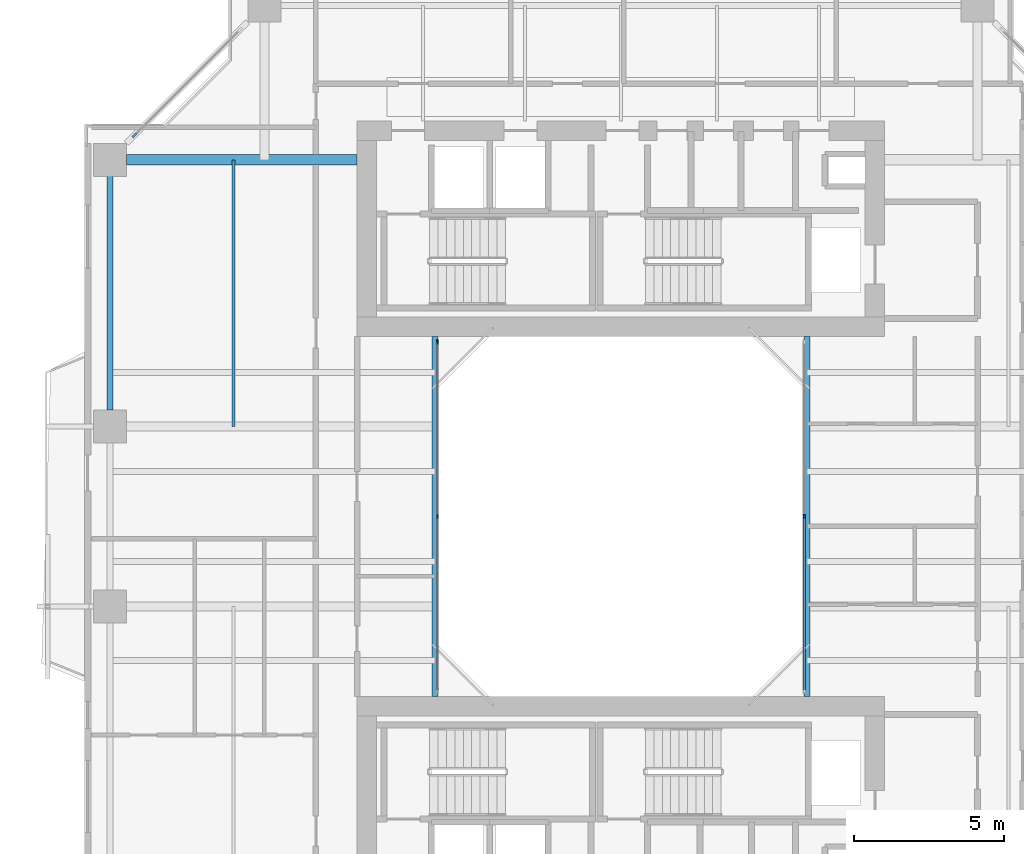
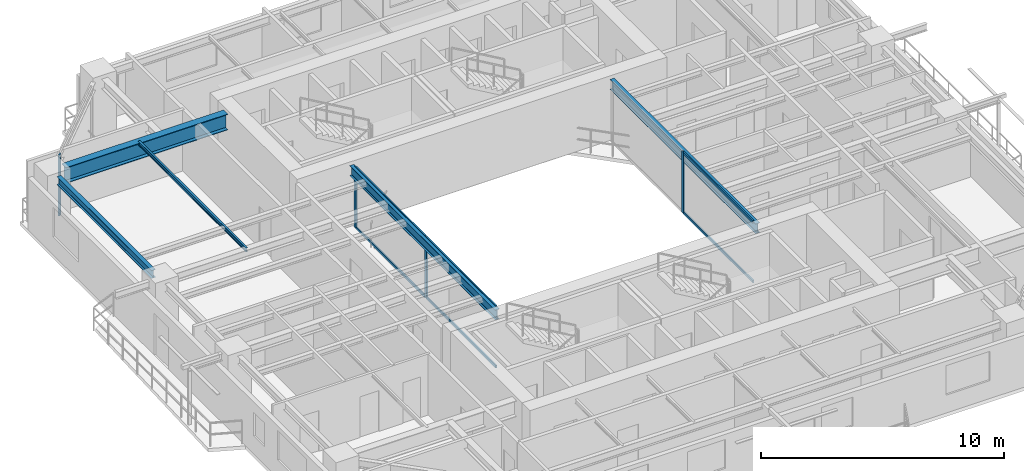
# One storey, part 4 of 23: 10 members, 5 beams, 3 elements without a shape of their own.
"""IFC4 building model written with IfcOpenShell, lengths in metres."""

from ifc_helpers import new_model, si_unit, direction, frame, origin, origin_2d, place, context, subcontext, project, spatial, rectangle, i_section, extrude, source, transform, mapped, material, layer, layer_set, material_profile, profile_set, type_object, element, aggregate, save


model = new_model("IFC4")

# Units and contexts
model_context = context("Model", 3, precision=1e-05, world=origin(), true_north=direction((0.0, 1.0)))
body_context = subcontext(model_context, "Body", "Model", "MODEL_VIEW")
ifc_project = project(units=[si_unit("LENGTHUNIT", "METRE"), si_unit("AREAUNIT", "SQUARE_METRE"), si_unit("VOLUMEUNIT", "CUBIC_METRE"), si_unit("PLANEANGLEUNIT", "RADIAN"), si_unit("MASSUNIT", "GRAM", prefix="KILO"), si_unit("THERMODYNAMICTEMPERATUREUNIT", "KELVIN"), si_unit("POWERUNIT", "WATT")], contexts=[model_context])

# Site, building, storey
site_placement = place(None, origin())
site = spatial("IfcSite", under=ifc_project, at=site_placement, CompositionType="ELEMENT")
building_placement = place(site_placement, origin())
building = spatial("IfcBuilding", under=site, at=building_placement, Name="Qiaomeng Ring Towers", CompositionType="ELEMENT")
storey_placement = place(building_placement, frame((0.0, 0.0, 103.5)))
storey = spatial("IfcBuildingStorey", under=building, at=storey_placement, Name="L29", CompositionType="ELEMENT", Elevation=103.5)

# Beams
ifc_material_1 = material(Name="Steel Q355B", Category="steel")
ifc_material_profile_1 = material_profile(ifc_material_1, i_section(OverallWidth=0.199951171875, OverallDepth=0.5, WebThickness=0.010009765625, FlangeThickness=0.01611328125, FilletRadius=0.02001953125, at=origin_2d()), Name="HN 500x200x10x16")
ifc_profile_set_1 = profile_set([ifc_material_profile_1], Name="Steel Q355B")
beam_type_1 = type_object("IfcBeamType", Name="STR-BM-HN500", PredefinedType="BEAM", material=ifc_profile_set_1)
shared_shape_1 = source(origin(), body_context, "Body", "SweptSolid", [
    extrude(i_section(OverallWidth=0.199951171875, OverallDepth=0.5, WebThickness=0.010009765625, FlangeThickness=0.01611328125, FilletRadius=0.02001953125, at=origin_2d()), origin(), (0.0, 0.0, 1.0), 12.0),
])
for number, where, z_axis, x_axis, name in (
    (1, (12.800048828125, 17.0, 2.820068359375), (0.0, 1.0, 0.0), (-1.0, 0.0, 0.0), "L29 beam STR-BM-L29-WELL-W"),
    (2, (25.199951171875, 17.0, 2.820068359375), (0.0, 1.0, 0.0), (-1.0, 0.0, 0.0), "L29 beam STR-BM-L29-WELL-E"),
):
    element("IfcBeam", number, at=place(storey_placement, frame(where, z_axis=z_axis, x_axis=x_axis)), inside=storey, type_object=beam_type_1, Name=name, PredefinedType="BEAM", context=body_context, shape_type="MappedRepresentation", body=[
        mapped(shared_shape_1, transform((0.0, 0.0, 0.0), x_axis=(1.0, 0.0, 0.0), y_axis=(0.0, 1.0, 0.0), z_axis=(0.0, 0.0, 1.0), scale=1.0)),
    ])
ifc_material_profile_2 = material_profile(ifc_material_1, i_section(OverallWidth=0.199951171875, OverallDepth=0.39990234375, WebThickness=0.008056640625, FlangeThickness=0.012939453125, FilletRadius=0.01611328125, at=origin_2d()), Name="HN 400x200x8x13")
ifc_profile_set_2 = profile_set([ifc_material_profile_2], Name="Steel Q355B")
beam_type_2 = type_object("IfcBeamType", Name="STR-BM-HN400", PredefinedType="SPANDREL", material=ifc_profile_set_2)
shared_shape_2 = source(origin(), body_context, "Body", "SweptSolid", [
    extrude(i_section(OverallWidth=0.199951171875, OverallDepth=0.39990234375, WebThickness=0.008056640625, FlangeThickness=0.012939453125, FilletRadius=0.01611328125, at=origin_2d()), origin(), (0.0, 0.0, 1.0), 7.802001953125),
])
beam_1_placement = place(storey_placement, frame((1.949951171875, 34.35107421875, 2.8701171875), z_axis=(0.0, -1.0, 0.0), x_axis=(1.0, 0.0, 0.0)))
element("IfcBeam", 3, at=beam_1_placement, inside=storey, type_object=beam_type_2, Name="L29 beam STR-SP-L29-T1-W4-W3", PredefinedType="SPANDREL", context=body_context, shape_type="MappedRepresentation", body=[
    mapped(shared_shape_2, transform((0.0, 0.0, 0.0), x_axis=(1.0, 0.0, 0.0), y_axis=(0.0, 1.0, 0.0), z_axis=(0.0, 0.0, 1.0), scale=1.0)),
])
ifc_material_2 = material(Name="Steel Q390GJC", Category="steel")
ifc_material_profile_3 = material_profile(ifc_material_2, i_section(OverallWidth=0.35009765625, OverallDepth=0.800048828125, WebThickness=0.01611328125, FlangeThickness=0.028076171875, at=origin_2d()), Name="WH 800x350x16x28")
ifc_profile_set_3 = profile_set([ifc_material_profile_3], Name="Steel Q390GJC")
beam_type_3 = type_object("IfcBeamType", Name="STR-BM-WH800", PredefinedType="BEAM", material=ifc_profile_set_3)
shared_shape_3 = source(origin(), body_context, "Body", "SweptSolid", [
    extrude(i_section(OverallWidth=0.35009765625, OverallDepth=0.800048828125, WebThickness=0.01611328125, FlangeThickness=0.028076171875, at=origin_2d()), origin(), (0.0, 0.0, 1.0), 7.700927734375),
])
beam_2_placement = place(storey_placement, frame((2.4990234375, 34.89990234375, 2.669921875), z_axis=(1.0, 0.0, 0.0), x_axis=(0.0, 1.0, 0.0)))
element("IfcBeam", 4, at=beam_2_placement, inside=storey, type_object=beam_type_3, Name="L29 beam STR-BM-L29-T1-RAD-W4", PredefinedType="BEAM", context=body_context, shape_type="MappedRepresentation", body=[
    mapped(shared_shape_3, transform((0.0, 0.0, 0.0), x_axis=(1.0, 0.0, 0.0), y_axis=(0.0, 1.0, 0.0), z_axis=(0.0, 0.0, 1.0), scale=1.0)),
])
ifc_material_profile_4 = material_profile(ifc_material_1, i_section(OverallWidth=0.10009765625, OverallDepth=0.199951171875, WebThickness=0.005615234375, FlangeThickness=0.008056640625, FilletRadius=0.010986328125, at=origin_2d()), Name="HN 200x100x5.5x8")
ifc_profile_set_4 = profile_set([ifc_material_profile_4], Name="Steel Q355B")
beam_type_4 = type_object("IfcBeamType", Name="STR-BM-HN200", PredefinedType="JOIST", material=ifc_profile_set_4)
shared_shape_4 = source(origin(), body_context, "Body", "SweptSolid", [
    extrude(i_section(OverallWidth=0.10009765625, OverallDepth=0.199951171875, WebThickness=0.005615234375, FlangeThickness=0.008056640625, FilletRadius=0.010986328125, at=origin_2d()), origin(), (0.0, 0.0, 1.0), 8.89990234375),
])
beam_3_placement = place(storey_placement, frame((6.074951171875, 26.0, 2.969970703125), z_axis=(0.0, 1.0, 0.0), x_axis=(-1.0, 0.0, 0.0)))
element("IfcBeam", 5, at=beam_3_placement, inside=storey, type_object=beam_type_4, Name="L29 beam STR-JST-L29-T1C-WN", PredefinedType="JOIST", context=body_context, shape_type="MappedRepresentation", body=[
    mapped(shared_shape_4, transform((0.0, 0.0, 0.0), x_axis=(1.0, 0.0, 0.0), y_axis=(0.0, 1.0, 0.0), z_axis=(0.0, 0.0, 1.0), scale=1.0)),
])

# Curtain wall, members
ifc_material_3 = material(Name="Fluorocarbon dark-grey aluminium", Category="aluminium")
ifc_layer_1 = layer(ifc_material_3, 0.139892578125, Name="Fluorocarbon dark-grey aluminium")
ifc_layer_set_1 = layer_set([ifc_layer_1], Name="Fluorocarbon dark-grey aluminium")
curtain_wall_type_1 = type_object("IfcCurtainWallType", Name="ARC-CW-4", PredefinedType="NOTDEFINED", material=ifc_layer_set_1)
curtain_wall_1_placement = place(storey_placement, origin())
curtain_wall_1 = element("IfcCurtainWall", 6, at=curtain_wall_1_placement, inside=storey, type_object=curtain_wall_type_1, Name="L29 Curtain Wall CW4", PredefinedType="NOTDEFINED")
ifc_material_profile_5 = material_profile(ifc_material_3, rectangle(XDim=0.06494140625, YDim=0.159912109375, at=origin_2d()), Name="ALU MULL 65x160")
ifc_profile_set_5 = profile_set([ifc_material_profile_5], Name="Fluorocarbon dark-grey aluminium")
member_type_1 = type_object("IfcMemberType", Name="ARC-CWM-140", PredefinedType="MULLION", material=ifc_profile_set_5)
shared_shape_5 = source(origin(), body_context, "Body", "SweptSolid", [
    extrude(rectangle(XDim=0.06494140625, YDim=0.159912109375, at=origin_2d()), origin(), (0.0, 0.0, 1.0), 3.070068359375),
])
member_1_placement = place(storey_placement, frame((12.8798828125, 23.0, 0.0), z_axis=(0.0, 0.0, 1.0), x_axis=(-1.0, 0.0, 0.0)))
member_1 = element("IfcMember", 7, at=member_1_placement, type_object=member_type_1, Name="CW4 mullion 2", PredefinedType="MULLION", context=body_context, shape_type="MappedRepresentation", body=[
    mapped(shared_shape_5, transform((0.0, 0.0, 0.0), x_axis=(1.0, 0.0, 0.0), y_axis=(0.0, 1.0, 0.0), z_axis=(0.0, 0.0, 1.0), scale=1.0)),
])
member_2_placement = place(storey_placement, frame((12.8798828125, 28.8173828125, 0.0), z_axis=(0.0, 0.0, 1.0), x_axis=(-1.0, 0.0, 0.0)))
member_2 = element("IfcMember", 8, at=member_2_placement, type_object=member_type_1, Name="CW4 mullion 3", PredefinedType="MULLION", context=body_context, shape_type="MappedRepresentation", body=[
    mapped(shared_shape_5, transform((0.0, 0.0, 0.0), x_axis=(1.0, 0.0, 0.0), y_axis=(0.0, 1.0, 0.0), z_axis=(0.0, 0.0, 1.0), scale=1.0)),
])

# Curtain wall, member
curtain_wall_2_placement = place(storey_placement, origin())
curtain_wall_2 = element("IfcCurtainWall", 9, at=curtain_wall_2_placement, inside=storey, type_object=curtain_wall_type_1, Name="L29 Curtain Wall CW4", PredefinedType="NOTDEFINED")
member_3_placement = place(storey_placement, frame((25.1201171875, 23.0, 0.0), z_axis=(0.0, 0.0, 1.0), x_axis=(-1.0, 0.0, 0.0)))
member_3 = element("IfcMember", 10, at=member_3_placement, type_object=member_type_1, Name="CW4 mullion 2", PredefinedType="MULLION", context=body_context, shape_type="MappedRepresentation", body=[
    mapped(shared_shape_5, transform((0.0, 0.0, 0.0), x_axis=(1.0, 0.0, 0.0), y_axis=(0.0, 1.0, 0.0), z_axis=(0.0, 0.0, 1.0), scale=1.0)),
])

# Member
ifc_material_profile_6 = material_profile(ifc_material_3, rectangle(XDim=0.06494140625, YDim=0.1298828125, at=origin_2d()), Name="ALU TRAN 65x130")
ifc_profile_set_6 = profile_set([ifc_material_profile_6], Name="Fluorocarbon dark-grey aluminium")
member_type_2 = type_object("IfcMemberType", Name="ARC-CWT-120", PredefinedType="USERDEFINED", material=ifc_profile_set_6)
shared_shape_6 = source(origin(), body_context, "Body", "SweptSolid", [
    extrude(rectangle(XDim=0.06494140625, YDim=0.1298828125, at=origin_2d()), origin(), (0.0, 0.0, 1.0), 5.75244140625),
])
member_4_placement = place(storey_placement, frame((12.8798828125, 17.215087890625, 0.032470703125), z_axis=(0.0, 1.0, 0.0), x_axis=(-1.0, 0.0, 0.0)))
member_4 = element("IfcMember", 11, at=member_4_placement, type_object=member_type_2, Name="CW4 transom 1.1", ObjectType="TRANSOM", PredefinedType="USERDEFINED", context=body_context, shape_type="MappedRepresentation", body=[
    mapped(shared_shape_6, transform((0.0, 0.0, 0.0), x_axis=(1.0, 0.0, 0.0), y_axis=(0.0, 1.0, 0.0), z_axis=(0.0, 0.0, 1.0), scale=1.0)),
])

member_5_placement = place(storey_placement, frame((12.8798828125, 17.215087890625, 3.03759765625), z_axis=(0.0, 1.0, 0.0), x_axis=(-1.0, 0.0, 0.0)))
member_5 = element("IfcMember", 12, at=member_5_placement, type_object=member_type_2, Name="CW4 transom 1.2", ObjectType="TRANSOM", PredefinedType="USERDEFINED", context=body_context, shape_type="MappedRepresentation", body=[
    mapped(shared_shape_6, transform((0.0, 0.0, 0.0), x_axis=(1.0, 0.0, 0.0), y_axis=(0.0, 1.0, 0.0), z_axis=(0.0, 0.0, 1.0), scale=1.0)),
])

member_6_placement = place(storey_placement, frame((12.8798828125, 23.032470703125, 0.032470703125), z_axis=(0.0, 1.0, 0.0), x_axis=(-1.0, 0.0, 0.0)))
member_6 = element("IfcMember", 13, at=member_6_placement, type_object=member_type_2, Name="CW4 transom 2.1", ObjectType="TRANSOM", PredefinedType="USERDEFINED", context=body_context, shape_type="MappedRepresentation", body=[
    mapped(shared_shape_6, transform((0.0, 0.0, 0.0), x_axis=(1.0, 0.0, 0.0), y_axis=(0.0, 1.0, 0.0), z_axis=(0.0, 0.0, 1.0), scale=1.0)),
])

member_7_placement = place(storey_placement, frame((12.8798828125, 23.032470703125, 3.03759765625), z_axis=(0.0, 1.0, 0.0), x_axis=(-1.0, 0.0, 0.0)))
member_7 = element("IfcMember", 14, at=member_7_placement, type_object=member_type_2, Name="CW4 transom 2.2", ObjectType="TRANSOM", PredefinedType="USERDEFINED", context=body_context, shape_type="MappedRepresentation", body=[
    mapped(shared_shape_6, transform((0.0, 0.0, 0.0), x_axis=(1.0, 0.0, 0.0), y_axis=(0.0, 1.0, 0.0), z_axis=(0.0, 0.0, 1.0), scale=1.0)),
])

aggregate(curtain_wall_1, [member_1, member_2, member_4, member_5, member_6, member_7])

member_8_placement = place(storey_placement, frame((25.1201171875, 17.215087890625, 0.032470703125), z_axis=(0.0, 1.0, 0.0), x_axis=(-1.0, 0.0, 0.0)))
member_8 = element("IfcMember", 15, at=member_8_placement, type_object=member_type_2, Name="CW4 transom 1.1", ObjectType="TRANSOM", PredefinedType="USERDEFINED", context=body_context, shape_type="MappedRepresentation", body=[
    mapped(shared_shape_6, transform((0.0, 0.0, 0.0), x_axis=(1.0, 0.0, 0.0), y_axis=(0.0, 1.0, 0.0), z_axis=(0.0, 0.0, 1.0), scale=1.0)),
])

member_9_placement = place(storey_placement, frame((25.1201171875, 17.215087890625, 3.03759765625), z_axis=(0.0, 1.0, 0.0), x_axis=(-1.0, 0.0, 0.0)))
member_9 = element("IfcMember", 16, at=member_9_placement, type_object=member_type_2, Name="CW4 transom 1.2", ObjectType="TRANSOM", PredefinedType="USERDEFINED", context=body_context, shape_type="MappedRepresentation", body=[
    mapped(shared_shape_6, transform((0.0, 0.0, 0.0), x_axis=(1.0, 0.0, 0.0), y_axis=(0.0, 1.0, 0.0), z_axis=(0.0, 0.0, 1.0), scale=1.0)),
])

aggregate(curtain_wall_2, [member_3, member_8, member_9])

# Curtain wall, member
ifc_layer_2 = layer(ifc_material_3, 0.14990234375, Name="Fluorocarbon dark-grey aluminium")
ifc_layer_set_2 = layer_set([ifc_layer_2], Name="Fluorocarbon dark-grey aluminium")
curtain_wall_type_2 = type_object("IfcCurtainWallType", Name="ARC-CW-3", PredefinedType="NOTDEFINED", material=ifc_layer_set_2)
curtain_wall_3_placement = place(storey_placement, origin())
curtain_wall_3 = element("IfcCurtainWall", 17, at=curtain_wall_3_placement, inside=storey, type_object=curtain_wall_type_2, Name="L29 Curtain Wall CW3", PredefinedType="NOTDEFINED")
ifc_material_profile_7 = material_profile(ifc_material_3, rectangle(XDim=0.070068359375, YDim=0.179931640625, at=origin_2d()), Name="ALU MULL 70x180")
ifc_profile_set_7 = profile_set([ifc_material_profile_7], Name="Fluorocarbon dark-grey aluminium")
member_type_3 = type_object("IfcMemberType", Name="ARC-CWM-160", PredefinedType="MULLION", material=ifc_profile_set_7)
shared_shape_7 = source(origin(), body_context, "Body", "SweptSolid", [
    extrude(rectangle(XDim=0.070068359375, YDim=0.179931640625, at=origin_2d()), origin(), (0.0, 0.0, 1.0), 3.070068359375),
])
member_10_placement = place(storey_placement, frame((2.7646484375, 35.71484375, 0.0), z_axis=(0.0, 0.0, 1.0), x_axis=(0.707106781187, -0.707106781187, 0.0)))
member_10 = element("IfcMember", 18, at=member_10_placement, type_object=member_type_3, Name="CW3 mullion 2", PredefinedType="MULLION", context=body_context, shape_type="MappedRepresentation", body=[
    mapped(shared_shape_7, transform((0.0, 0.0, 0.0), x_axis=(1.0, 0.0, 0.0), y_axis=(0.0, 1.0, 0.0), z_axis=(0.0, 0.0, 1.0), scale=1.0)),
])
aggregate(curtain_wall_3, [member_10])

save(model, "model.ifc")
